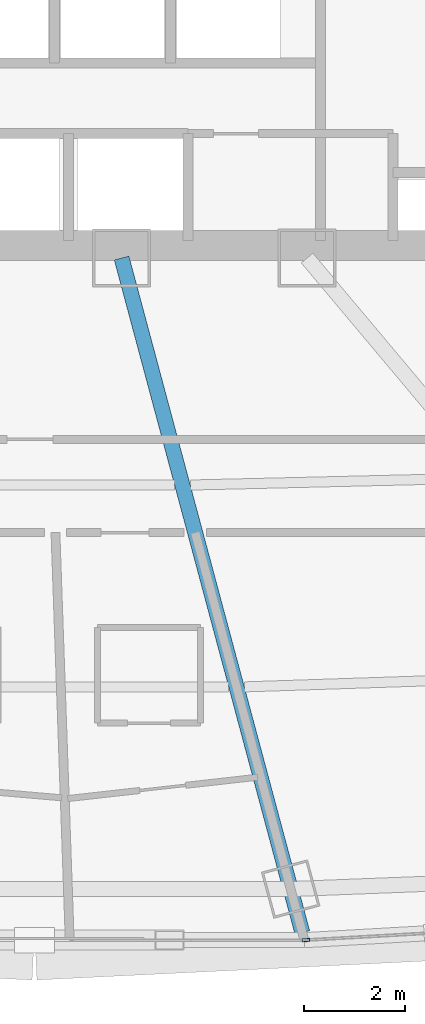
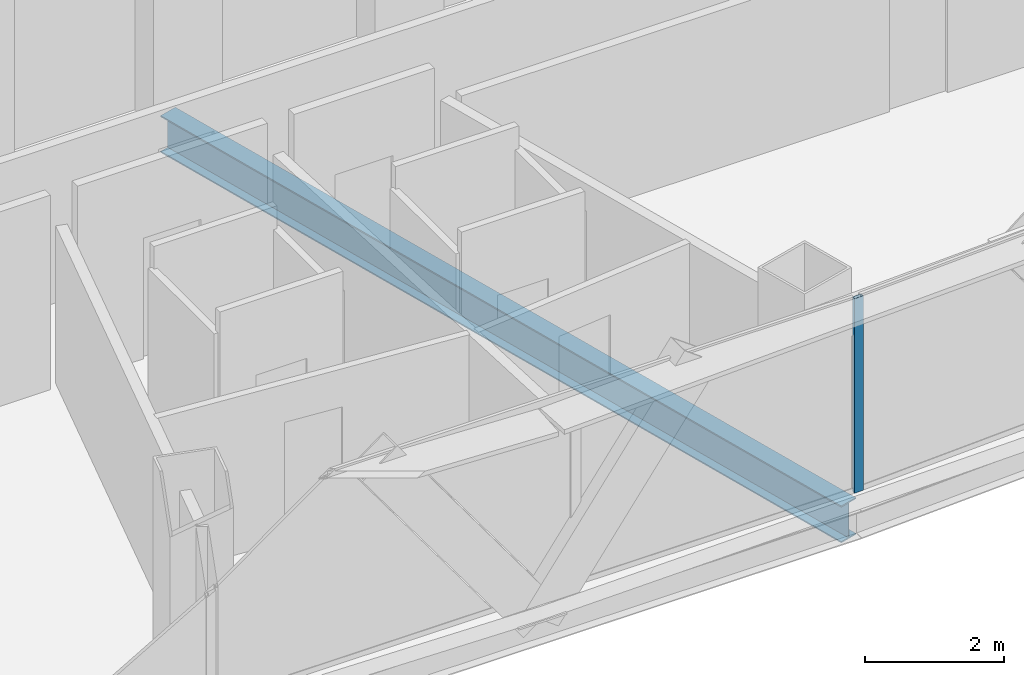
# One storey, part 12 of 39: 1 beam, 1 member, 1 element without a shape of its own.
"""IFC4 building model written with IfcOpenShell, lengths in metres."""

from ifc_helpers import new_model, si_unit, direction, frame, origin, origin_2d, place, context, subcontext, project, spatial, hollow_rectangle, i_section, extrude, source, transform, mapped, material, layer, layer_set, material_profile, profile_set, type_object, element, aggregate, save


model = new_model("IFC4")

# Units and contexts
model_context = context("Model", 3, precision=1e-05, world=origin(), true_north=direction((0.0, 1.0)))
body_context = subcontext(model_context, "Body", "Model", "MODEL_VIEW")
ifc_project = project(units=[si_unit("LENGTHUNIT", "METRE"), si_unit("AREAUNIT", "SQUARE_METRE"), si_unit("VOLUMEUNIT", "CUBIC_METRE"), si_unit("PLANEANGLEUNIT", "RADIAN"), si_unit("MASSUNIT", "GRAM", prefix="KILO"), si_unit("THERMODYNAMICTEMPERATUREUNIT", "KELVIN"), si_unit("POWERUNIT", "WATT")], contexts=[model_context])

# Site, building, storey
site_placement = place(None, origin())
site = spatial("IfcSite", under=ifc_project, at=site_placement, CompositionType="ELEMENT")
building_placement = place(site_placement, origin())
building = spatial("IfcBuilding", under=site, at=building_placement, Name="Yunzhuo Pagoda Commons", CompositionType="ELEMENT")
storey_placement = place(building_placement, frame((0.0, 0.0, 166.6298828125)))
storey = spatial("IfcBuildingStorey", under=building, at=storey_placement, Name="L42", CompositionType="ELEMENT", Elevation=166.6298828125)

# Beam
ifc_material_1 = material(Name="Structural steel Q355B", Category="steel")
ifc_material_profile_1 = material_profile(ifc_material_1, i_section(OverallWidth=0.300048828125, OverallDepth=0.64990234375, WebThickness=0.012939453125, FlangeThickness=0.02197265625, at=origin_2d()), Name="Structural steel Q355B")
ifc_profile_set_1 = profile_set([ifc_material_profile_1], Name="Structural steel Q355B")
beam_type = type_object("IfcBeamType", Name="B-RG2 Beam HN 650x300x13x22", PredefinedType="BEAM", material=ifc_profile_set_1)
shared_shape_1 = source(origin(), body_context, "Body", "SweptSolid", [
    extrude(i_section(OverallWidth=0.300048828125, OverallDepth=0.64990234375, WebThickness=0.012939453125, FlangeThickness=0.02197265625, at=origin_2d()), origin(), (0.0, 0.0, 1.0), 13.865478515625),
])
beam_placement = place(storey_placement, frame((53.317138671875, 13.85693359375, -0.5849609375), z_axis=(-0.258816469176, 0.965926516503, 0.0), x_axis=(-0.965926516503, -0.258816469176, 0.0)))
element("IfcBeam", 1, at=beam_placement, inside=storey, type_object=beam_type, Name="L42 radial floor girder F1C3", PredefinedType="BEAM", context=body_context, shape_type="MappedRepresentation", body=[
    mapped(shared_shape_1, transform((0.0, 0.0, 0.0), scale=1.0)),
])

# Curtain wall, member
ifc_material_2 = material(Name="Anodized aluminium 6063-T6", Category="aluminium")
ifc_layer = layer(ifc_material_2, 0.14990234375)
ifc_layer_set = layer_set([ifc_layer], Name="Anodized aluminium 6063-T6")
curtain_wall_type = type_object("IfcCurtainWallType", Name="CW-MID Mid-Zone Ribbon Curtain Wall", PredefinedType="NOTDEFINED", material=ifc_layer_set)
curtain_wall_placement = place(storey_placement, origin())
curtain_wall = element("IfcCurtainWall", 2, at=curtain_wall_placement, inside=storey, type_object=curtain_wall_type, Name="L42 curtain wall CW-L42-F1B4", PredefinedType="NOTDEFINED")
ifc_material_profile_2 = material_profile(ifc_material_2, hollow_rectangle(XDim=0.06005859375, YDim=0.14990234375, WallThickness=0.00390625, at=origin_2d()), Name="Anodized aluminium 6063-T6")
ifc_profile_set_2 = profile_set([ifc_material_profile_2], Name="Anodized aluminium 6063-T6")
member_type = type_object("IfcMemberType", Name="CW-MID-M Mullion RHS 150x60x4", PredefinedType="MULLION", material=ifc_profile_set_2)
shared_shape_2 = source(origin(), body_context, "Body", "SweptSolid", [
    extrude(hollow_rectangle(XDim=0.06005859375, YDim=0.14990234375, WallThickness=0.00390625, at=origin_2d()), origin(), (0.0, 0.0, 1.0), 3.420166015625),
])
member_placement = place(storey_placement, frame((53.386962890625, 13.708984375, 0.0), z_axis=(0.0, 0.0, 1.0), x_axis=(-0.056298716731, 0.998413969501, 0.0)))
member = element("IfcMember", 3, at=member_placement, type_object=member_type, Name="CW mullion 1", PredefinedType="MULLION", context=body_context, shape_type="MappedRepresentation", body=[
    mapped(shared_shape_2, transform((0.0, 0.0, 0.0), scale=1.0)),
])
aggregate(curtain_wall, [member])

save(model, "model.ifc")
